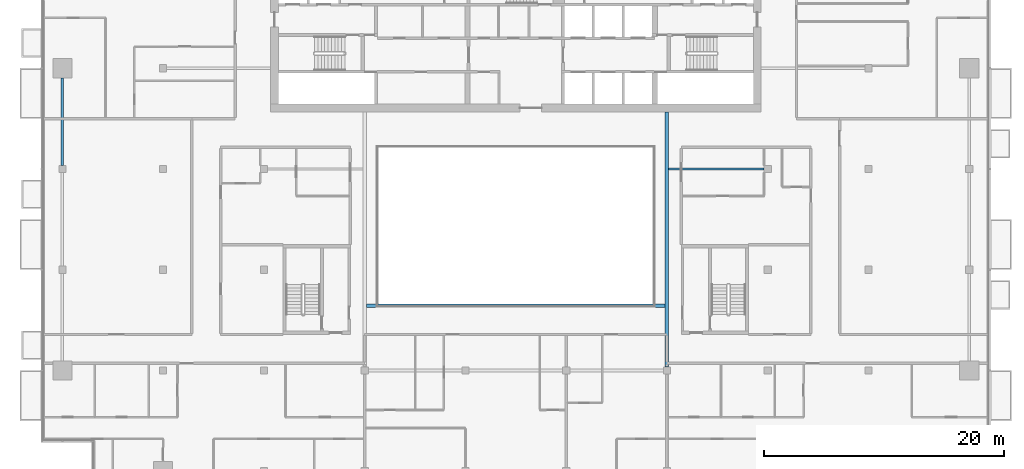
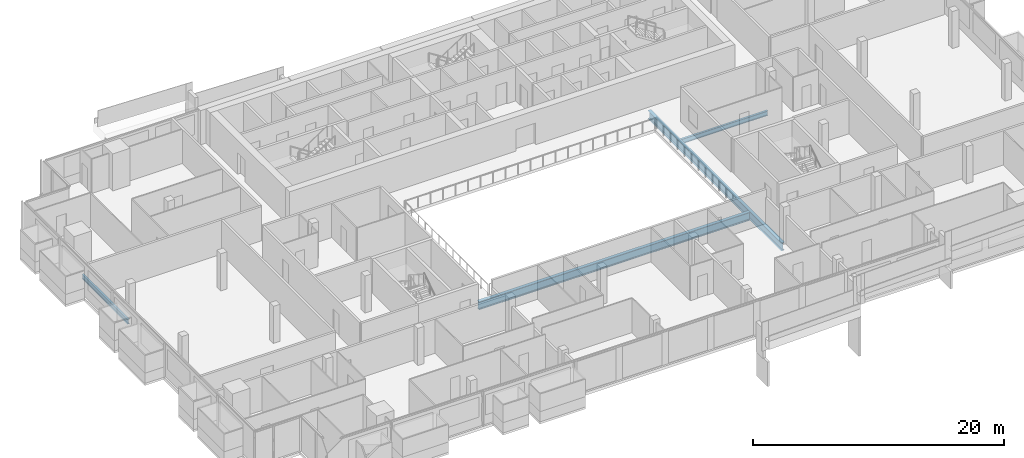
# One storey, part 7 of 27: 4 beams.
"""IFC4 building model written with IfcOpenShell, lengths in metres."""

from ifc_helpers import new_model, si_unit, direction, frame, origin, origin_2d, place, context, subcontext, project, spatial, i_section, extrude, material, material_profile, profile_set, type_object, element, save


model = new_model("IFC4")

# Units and contexts
model_context = context("Model", 3, precision=1e-05, world=origin(), true_north=direction((0.0, 1.0)))
body_context = subcontext(model_context, "Body", "Model", "MODEL_VIEW")
ifc_project = project(units=[si_unit("LENGTHUNIT", "METRE"), si_unit("AREAUNIT", "SQUARE_METRE"), si_unit("VOLUMEUNIT", "CUBIC_METRE"), si_unit("PLANEANGLEUNIT", "RADIAN"), si_unit("MASSUNIT", "GRAM", prefix="KILO")], contexts=[model_context])

# Site, building, storey
site_placement = place(None, origin())
site = spatial("IfcSite", under=ifc_project, at=site_placement, CompositionType="ELEMENT")
building_placement = place(site_placement, origin())
building = spatial("IfcBuilding", under=site, at=building_placement, Name="Saffron Gate Tower", CompositionType="ELEMENT")
storey_placement = place(building_placement, frame((0.0, 0.0, 212.699951171875)))
storey = spatial("IfcBuildingStorey", under=building, at=storey_placement, Name="L51", CompositionType="ELEMENT", Elevation=212.699951171875)

# Beams
ifc_material = material(Name="Structural steel S355", Category="steel")
ifc_material_profile_1 = material_profile(ifc_material, i_section(OverallWidth=0.300048828125, OverallDepth=0.7900390625, WebThickness=0.014892578125, FlangeThickness=0.028076171875, FilletRadius=0.030029296875, at=origin_2d()))
ifc_profile_set_1 = profile_set([ifc_material_profile_1], Name="Structural steel S355")
beam_type_1 = type_object("IfcBeamType", Name="B18 HEA 800", PredefinedType="BEAM", material=ifc_profile_set_1)
beam_1_placement = place(storey_placement, frame((100.199951171875, 40.5, -0.675048828125), z_axis=(0.0, 1.0, 0.0), x_axis=(-1.0, 0.0, 0.0)))
element("IfcBeam", 1, at=beam_1_placement, inside=storey, type_object=beam_type_1, Name="B18 ATRIUM GIRDER", PredefinedType="BEAM", context=body_context, shape_type="SweptSolid", body=[
    extrude(i_section(OverallWidth=0.300048828125, OverallDepth=0.7900390625, WebThickness=0.014892578125, FlangeThickness=0.028076171875, FilletRadius=0.030029296875, at=origin_2d()), origin(), (0.0, 0.0, 1.0), 21.25),
])
beam_2_placement = place(storey_placement, frame((75.14990234375, 45.60009765625, -0.675048828125), z_axis=(1.0, 0.0, 0.0), x_axis=(0.0, 1.0, 0.0)))
element("IfcBeam", 2, at=beam_2_placement, inside=storey, type_object=beam_type_1, Name="B18 ATRIUM GIRDER", PredefinedType="BEAM", context=body_context, shape_type="SweptSolid", body=[
    extrude(i_section(OverallWidth=0.300048828125, OverallDepth=0.7900390625, WebThickness=0.014892578125, FlangeThickness=0.028076171875, FilletRadius=0.030029296875, at=origin_2d()), origin(), (0.0, 0.0, 1.0), 24.900146484375),
])
ifc_material_profile_2 = material_profile(ifc_material, i_section(OverallWidth=0.18994140625, OverallDepth=0.449951171875, WebThickness=0.009521484375, FlangeThickness=0.0146484375, FilletRadius=0.02099609375, at=origin_2d()))
ifc_profile_set_2 = profile_set([ifc_material_profile_2], Name="Structural steel S355")
beam_type_2 = type_object("IfcBeamType", Name="B6 IPE 450", PredefinedType="BEAM", material=ifc_profile_set_2)
beam_3_placement = place(storey_placement, frame((108.300048828125, 57.0, -0.5048828125), z_axis=(-1.0, 0.0, 0.0), x_axis=(0.0, -1.0, 0.0)))
element("IfcBeam", 3, at=beam_3_placement, inside=storey, type_object=beam_type_2, Name="B6 CORE TIE BEAM", PredefinedType="BEAM", context=body_context, shape_type="SweptSolid", body=[
    extrude(i_section(OverallWidth=0.18994140625, OverallDepth=0.449951171875, WebThickness=0.009521484375, FlangeThickness=0.0146484375, FilletRadius=0.02099609375, at=origin_2d()), origin(), (0.0, 0.0, 1.0), 7.949951171875),
])
ifc_material_profile_3 = material_profile(ifc_material, i_section(OverallWidth=0.18994140625, OverallDepth=0.449951171875, WebThickness=0.009521484375, FlangeThickness=0.0146484375, FilletRadius=0.02099609375, at=origin_2d()))
ifc_profile_set_3 = profile_set([ifc_material_profile_3], Name="Structural steel S355")
beam_type_3 = type_object("IfcBeamType", Name="B7 IPE 450", PredefinedType="SPANDREL", material=ifc_profile_set_3)
beam_4_placement = place(storey_placement, frame((49.800048828125, 57.300048828125, -0.5048828125), z_axis=(0.0, 1.0, 0.0), x_axis=(-1.0, 0.0, 0.0)))
element("IfcBeam", 4, at=beam_4_placement, inside=storey, type_object=beam_type_3, Name="B7 SPANDREL BEAM", PredefinedType="SPANDREL", context=body_context, shape_type="SweptSolid", body=[
    extrude(i_section(OverallWidth=0.18994140625, OverallDepth=0.449951171875, WebThickness=0.009521484375, FlangeThickness=0.0146484375, FilletRadius=0.02099609375, at=origin_2d()), origin(), (0.0, 0.0, 1.0), 7.300048828125),
])

save(model, "model.ifc")
